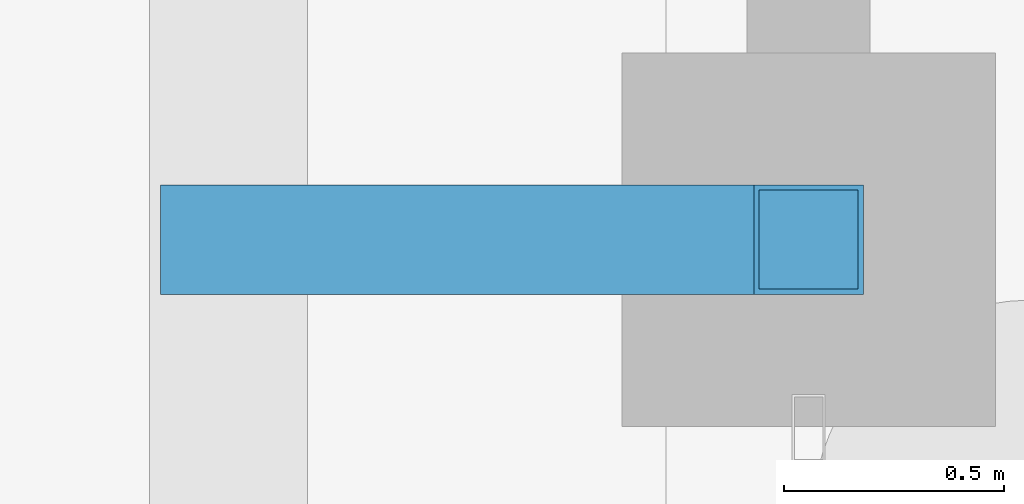
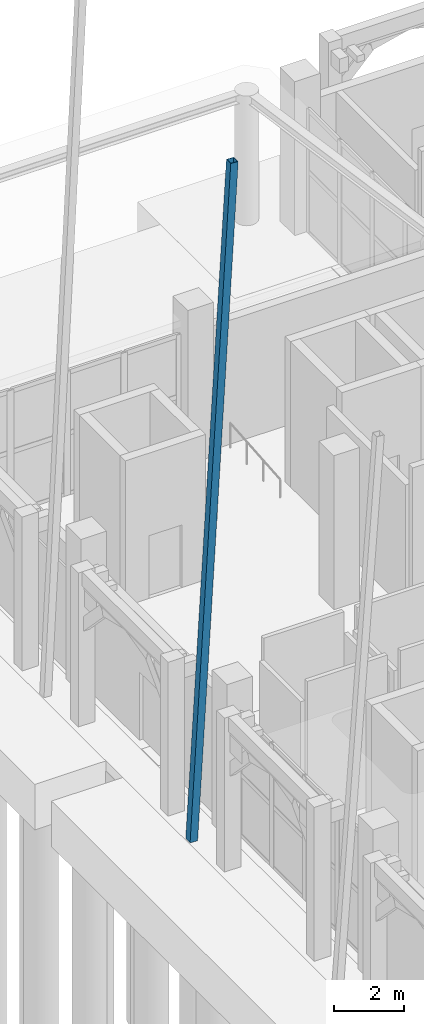
# One storey, part 28 of 98: 1 member.
"""IFC4 building model written with IfcOpenShell, lengths in metres."""

import ifcopenshell
import ifcopenshell.guid

model = None  # the IFC model being written
_history = None  # IfcOwnerHistory: only IFC2X3 demands one
_inside = {}  # id of a spatial element -> (the spatial element, [elements in it])
_under = {}  # id of a project, library or spatial element -> (it, [spatial elements below it])
_declared = {}  # id of a project -> (the project, [libraries it declares])
_typed = {}  # id of a type object -> (the type object, [elements of that type])
_made_of = {}  # id of a material, layer set ... -> (it, [elements and type objects made of it])


def new_model(schema):
    """Start an empty IFC model of exactly this schema.

    Asked for "IFC4X3", IfcOpenShell would pick the latest addendum, in which some entities
    have other attributes; the version numbers below select the first issue.
    IFC2X3 requires an IfcOwnerHistory on every rooted entity: one is made here for all.
    """
    global model, _history
    if schema == "IFC4X3":
        model = ifcopenshell.file(schema_version=(4, 3, 0, 0))
    else:
        model = ifcopenshell.file(schema=schema)
    _inside.clear()
    _under.clear()
    _declared.clear()
    _typed.clear()
    _made_of.clear()
    _history = None
    if model.schema == "IFC2X3":
        org = make("IfcOrganization", Name="unknown")
        user = make(
            "IfcPersonAndOrganization",
            ThePerson=make("IfcPerson", FamilyName="unknown"),
            TheOrganization=org,
        )
        app = make(
            "IfcApplication",
            ApplicationDeveloper=org,
            Version="unknown",
            ApplicationFullName="unknown",
            ApplicationIdentifier="unknown",
        )
        _history = make(
            "IfcOwnerHistory",
            OwningUser=user,
            OwningApplication=app,
            ChangeAction="ADDED",
            CreationDate=0,
        )
    return model


def make(cls, **values):
    """One entity of the class cls with the attributes given. An attribute that is None is left unset."""
    return model.create_entity(
        cls, **{name: value for name, value in values.items() if value is not None}
    )


def rooted(cls, **values):
    """An entity with a GlobalId (a new one), such as an element, a storey or a relation."""
    return make(cls, GlobalId=ifcopenshell.guid.new(), OwnerHistory=_history, **values)


def si_unit(unit_type, name, prefix=None):
    """IfcSIUnit, for example si_unit("LENGTHUNIT", "METRE", prefix="MILLI")."""
    return make("IfcSIUnit", UnitType=unit_type, Prefix=prefix, Name=name)


def assignment(units):
    """IfcUnitAssignment: the units of a project."""
    return None if units is None else make("IfcUnitAssignment", Units=units)


def point(xyz):
    """IfcCartesianPoint."""
    return None if xyz is None else make("IfcCartesianPoint", Coordinates=xyz)


def direction(xyz):
    """IfcDirection."""
    return None if xyz is None else make("IfcDirection", DirectionRatios=xyz)


def frame(location, z_axis=None, x_axis=None):
    """IfcAxis2Placement3D, a coordinate frame: its origin and axes. An axis left out is left unset."""
    return make(
        "IfcAxis2Placement3D",
        Location=point(location),
        Axis=direction(z_axis),
        RefDirection=direction(x_axis),
    )


def frame_2d(location, x_axis=None):
    """IfcAxis2Placement2D, a coordinate frame in the plane: its origin and x axis."""
    return make(
        "IfcAxis2Placement2D", Location=point(location), RefDirection=direction(x_axis)
    )


def origin():
    """The frame at (0, 0, 0) with its axes left unset."""
    return frame((0.0, 0.0, 0.0))


def origin_2d():
    """The frame at (0, 0) in the plane with its x axis left unset."""
    return frame_2d((0.0, 0.0))


def place(relative_to, where):
    """IfcLocalPlacement: puts the frame where relative to a parent placement (None: the world)."""
    return make(
        "IfcLocalPlacement", PlacementRelTo=relative_to, RelativePlacement=where
    )


def context(
    kind, dimensions, precision=None, world=None, true_north=None, identifier=None
):
    """IfcGeometricRepresentationContext, for example the 3D "Model" context."""
    return make(
        "IfcGeometricRepresentationContext",
        ContextIdentifier=identifier,
        ContextType=kind,
        CoordinateSpaceDimension=dimensions,
        Precision=precision,
        WorldCoordinateSystem=world,
        TrueNorth=true_north,
    )


def subcontext(parent, identifier, kind, view, scale=None):
    """IfcGeometricRepresentationSubContext, for example "Body" below "Model"."""
    return make(
        "IfcGeometricRepresentationSubContext",
        ContextIdentifier=identifier,
        ContextType=kind,
        ParentContext=parent,
        TargetScale=scale,
        TargetView=view,
    )


def project(units=None, contexts=None):
    """IfcProject with its units and contexts."""
    return rooted(
        "IfcProject",
        Name="project",
        RepresentationContexts=contexts,
        UnitsInContext=assignment(units),
    )


def spatial(cls, under=None, at=None, **own):
    """A site, building, storey or space (cls), placed at a placement, below another one or the project."""
    s = rooted(cls, ObjectPlacement=at, **own)
    if under is not None:
        _under.setdefault(under.id(), (under, []))[1].append(s)
    return s


def profile(cls, at=None, kind="AREA", **sizes):
    """A parametric profile (cls). Its sizes go by their IFC names, for example OverallWidth=200.0."""
    return make(cls, ProfileType=kind, Position=at, **sizes)


def hollow_rectangle(**sizes):
    """IfcRectangleHollowProfileDef."""
    return profile("IfcRectangleHollowProfileDef", **sizes)


def extrude(swept, where, along, depth):
    """IfcExtrudedAreaSolid: the profile swept, set in the frame where, extruded along a direction by depth."""
    return make(
        "IfcExtrudedAreaSolid",
        SweptArea=swept,
        Position=where,
        ExtrudedDirection=direction(along),
        Depth=depth,
    )


def shape(context_of_items, identifier, shape_type, items):
    """IfcShapeRepresentation: the items that make up one representation, for example the "Body"."""
    return make(
        "IfcShapeRepresentation",
        ContextOfItems=context_of_items,
        RepresentationIdentifier=identifier,
        RepresentationType=shape_type,
        Items=items,
    )


def material(Name=None, Category=None):
    """IfcMaterial."""
    return make("IfcMaterial", Name=Name, Category=Category)


def material_profile(
    of_material, cross_section, Name=None, Category=None, Priority=None
):
    """IfcMaterialProfile: a cross section and its material."""
    return make(
        "IfcMaterialProfile",
        Name=Name,
        Material=of_material,
        Profile=cross_section,
        Priority=Priority,
        Category=Category,
    )


def profile_set(profiles, Name=None, composite=None):
    """IfcMaterialProfileSet."""
    return make(
        "IfcMaterialProfileSet",
        Name=Name,
        MaterialProfiles=profiles,
        CompositeProfile=composite,
    )


def made_of(thing, what):
    """Note that an element or type object is made of a material, layer set ...; save() writes the relation."""
    if what is not None:
        _made_of.setdefault(what.id(), (what, []))[1].append(thing)
    return thing


def type_object(cls, material=None, **own):
    """A type object (cls), such as IfcWallType, which elements share."""
    return made_of(rooted(cls, **own), material)


def element(
    cls,
    number,
    at=None,
    inside=None,
    cuts=None,
    type_object=None,
    material=None,
    context=None,
    identifier="Body",
    shape_type=None,
    held_by="IfcProductDefinitionShape",
    body=None,
    shapes=None,
    **own,
):
    """One element of the class cls, such as IfcWall. Its Tag is "e" and its number.

    at: its placement. inside: the storey or other place that contains it. cuts: it is an
    opening in that element (IfcRelVoidsElement). A single representation is given by context,
    identifier, shape_type and body (its items); several are given by shapes. held_by: the class
    of the entity that holds the representations. save() writes the other relations.
    """
    e = rooted(cls, Tag="e%d" % number, ObjectPlacement=at, **own)
    if body is not None:
        shapes = [shape(context, identifier, shape_type, body)]
    if shapes is not None:
        e.Representation = make(held_by, Representations=shapes)
    if inside is not None:
        _inside.setdefault(inside.id(), (inside, []))[1].append(e)
    if cuts is not None:
        rooted(
            "IfcRelVoidsElement", RelatingBuildingElement=cuts, RelatedOpeningElement=e
        )
    if type_object is not None:
        _typed.setdefault(type_object.id(), (type_object, []))[1].append(e)
    return made_of(e, material)


def aggregate(whole, parts):
    """IfcRelAggregates: a whole, such as a stair, and the parts it consists of."""
    return rooted("IfcRelAggregates", RelatingObject=whole, RelatedObjects=parts)


def save(model, path):
    """Write the relations noted so far, then the file.

    IfcRelAggregates (storeys below a building ...), IfcRelContainedInSpatialStructure (elements
    in a storey), IfcRelDefinesByType, IfcRelAssociatesMaterial and IfcRelDeclares: one each for
    every whole, place, type object, material and project.
    """
    for whole, parts in _under.values():
        aggregate(whole, parts)
    for where, things in _inside.values():
        rooted(
            "IfcRelContainedInSpatialStructure",
            RelatedElements=things,
            RelatingStructure=where,
        )
    for kind, things in _typed.values():
        rooted("IfcRelDefinesByType", RelatedObjects=things, RelatingType=kind)
    for what, things in _made_of.values():
        rooted("IfcRelAssociatesMaterial", RelatedObjects=things, RelatingMaterial=what)
    for by, libraries in _declared.values():
        rooted("IfcRelDeclares", RelatingContext=by, RelatedDefinitions=libraries)
    model.write(path)


model = new_model("IFC4")

# Units and contexts
model_context = context("Model", 3, precision=1e-05, world=origin(), true_north=direction((0.0, 1.0)))
body_context = subcontext(model_context, "Body", "Model", "MODEL_VIEW")
ifc_project = project(units=[si_unit("LENGTHUNIT", "METRE"), si_unit("AREAUNIT", "SQUARE_METRE"), si_unit("VOLUMEUNIT", "CUBIC_METRE"), si_unit("PLANEANGLEUNIT", "RADIAN"), si_unit("MASSUNIT", "GRAM", prefix="KILO")], contexts=[model_context])

# Site, building, storey
site_placement = place(None, origin())
site = spatial("IfcSite", under=ifc_project, at=site_placement, CompositionType="ELEMENT")
building_placement = place(site_placement, origin())
building = spatial("IfcBuilding", under=site, at=building_placement, Name="Xazarin Passage Department Store", CompositionType="ELEMENT")
storey_placement = place(building_placement, origin())
storey = spatial("IfcBuildingStorey", under=building, at=storey_placement, Name="L00", CompositionType="ELEMENT", Elevation=0.0)

# Member
ifc_material = material(Name="Steel S355", Category="steel")
ifc_material_profile = material_profile(ifc_material, hollow_rectangle(XDim=0.25, YDim=0.25, WallThickness=0.012451171875, at=origin_2d()), Name="SHS 250x250x12.5")
ifc_profile_set = profile_set([ifc_material_profile], Name="Steel S355")
member_type = type_object("IfcMemberType", Name="STR-MEM-SHS250", PredefinedType="BRACE", material=ifc_profile_set)
member_placement = place(storey_placement, frame((-1.35009765625, 84.800048828125, 0.030029296875), z_axis=(0.057674695989, 0.0, 0.998335429324), x_axis=(0.0, 1.0, 0.0)))
element("IfcMember", 1, at=member_placement, inside=storey, type_object=member_type, Name="Sculpted Raked Concrete Buttress BUT-V1-W3", PredefinedType="BRACE", context=body_context, shape_type="SweptSolid", body=[
    extrude(hollow_rectangle(XDim=0.25, YDim=0.25, WallThickness=0.012451171875, at=origin_2d()), origin(), (0.0, 0.0, 1.0), 23.408935546875),
])

save(model, "model.ifc")
